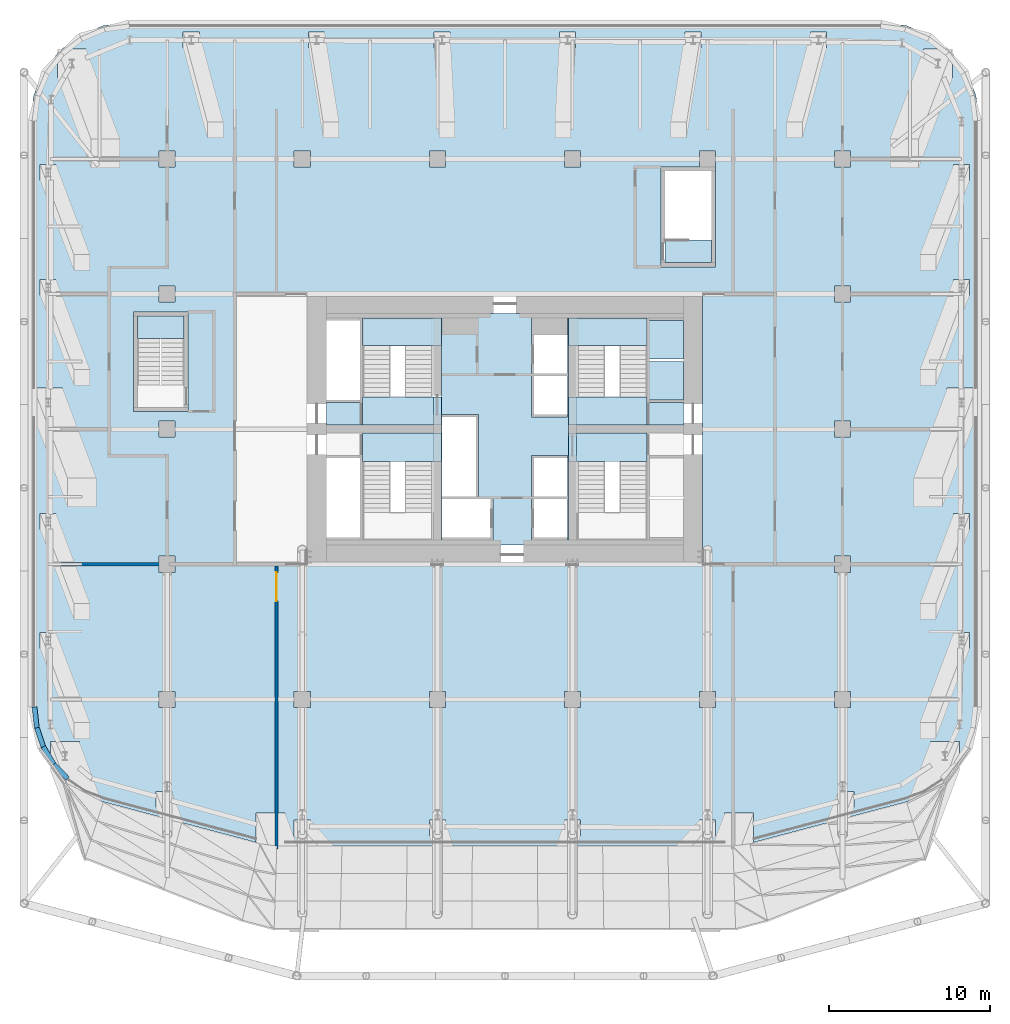
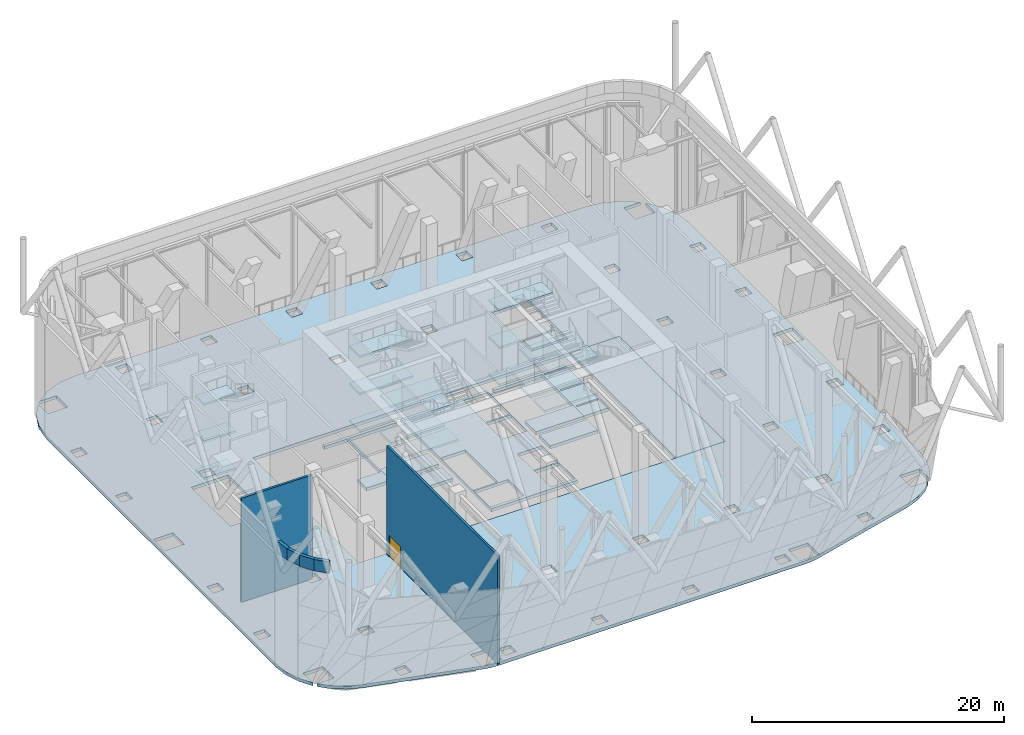
# One storey, part 8 of 19: 27 slabs, 6 walls, 1 door, 1 opening, 5 elements without a shape of their own.
"""IFC4 building model written with IfcOpenShell, lengths in metres."""

from ifc_helpers import new_model, si_unit, direction, frame, frame_2d, origin, place, context, subcontext, project, spatial, polyline, rectangle, outline, extrude, material, layer, layer_set, type_object, element, fill, aggregate, save


model = new_model("IFC4")

# Units and contexts
model_context = context("Model", 3, precision=1e-05, world=origin(), true_north=direction((0.0, 1.0)))
body_context = subcontext(model_context, "Body", "Model", "MODEL_VIEW")
ifc_project = project(units=[si_unit("LENGTHUNIT", "METRE"), si_unit("AREAUNIT", "SQUARE_METRE"), si_unit("VOLUMEUNIT", "CUBIC_METRE"), si_unit("PLANEANGLEUNIT", "RADIAN"), si_unit("MASSUNIT", "GRAM", prefix="KILO")], contexts=[model_context])

# Site, building, storey
site_placement = place(None, origin())
site = spatial("IfcSite", under=ifc_project, at=site_placement, CompositionType="ELEMENT")
building_placement = place(site_placement, origin())
building = spatial("IfcBuilding", under=site, at=building_placement, Name="Marenta Gate Hotel Tower", CompositionType="ELEMENT")
storey_placement = place(building_placement, frame((0.0, 0.0, 86.89990234375)))
storey = spatial("IfcBuildingStorey", under=building, at=storey_placement, Name="L20", CompositionType="ELEMENT", Elevation=86.89990234375)

# Slabs
ifc_material_1 = material(Name="Concrete C35", Category="concrete")
ifc_layer_1 = layer(ifc_material_1, 0.300048828125)
ifc_layer_set_1 = layer_set([ifc_layer_1], Name="Concrete C35")
slab_type_1 = type_object("IfcSlabType", Name="Concrete floor slab 300", PredefinedType="FLOOR", material=ifc_layer_set_1)
slab_1_placement = place(storey_placement, frame((0.0, 0.0, -0.2998046875)))
element("IfcSlab", 1, at=slab_1_placement, inside=storey, type_object=slab_type_1, Name="L20-SL-1", PredefinedType="FLOOR", context=body_context, shape_type="SweptSolid", body=[
    extrude(outline(polyline([(-27.313720703125, -13.56396484375), (-28.015625, -12.8330078125), (-26.462890625, -12.8330078125), (-26.462890625, -11.032958984375), (-28.262939453125, -11.032958984375), (-28.262939453125, -12.55859375), (-28.927001953125, -11.467041015625), (-29.35546875, -10.20703125), (-29.5, -8.889892578125), (-29.5, 27.6064453125), (-29.29296875, 29.178955078125), (-28.68359375, 30.650390625), (-27.83544921875, 31.755615234375), (-27.83544921875, 30.235595703125), (-26.035400390625, 30.235595703125), (-26.035400390625, 32.035400390625), (-27.555419921875, 32.035400390625), (-26.450439453125, 32.883544921875), (-24.97900390625, 33.492919921875), (-23.406494140625, 33.699951171875), (23.406494140625, 33.699951171875), (24.97900390625, 33.492919921875), (26.450439453125, 32.883544921875), (27.555419921875, 32.035400390625), (26.035400390625, 32.035400390625), (26.035400390625, 30.235595703125), (27.83544921875, 30.235595703125), (27.83544921875, 31.755615234375), (28.68359375, 30.650390625), (29.29296875, 29.178955078125), (29.5, 27.6064453125), (29.5, -8.889892578125), (29.35546875, -10.20703125), (28.927001953125, -11.467041015625), (28.262939453125, -12.55859375), (28.262939453125, -11.032958984375), (26.462890625, -11.032958984375), (26.462890625, -12.8330078125), (28.015625, -12.8330078125), (27.313720703125, -13.56396484375), (26.205810546875, -14.30126953125), (24.969482421875, -14.77880859375), (15.2265625, -17.36376953125), (14.70849609375, -17.4658203125), (14.181640625, -17.5), (-14.181640625, -17.5), (-14.70849609375, -17.4658203125), (-15.2265625, -17.36376953125), (-24.969482421875, -14.77880859375), (-26.205810546875, -14.30126953125), (-27.313720703125, -13.56396484375)]), holes=[polyline([(-16.800048828125, 0.0), (16.800048828125, 0.0), (16.800048828125, 16.800048828125), (-16.800048828125, 16.800048828125), (-16.800048828125, 0.0)]), polyline([(-13.666259765625, -15.474853515625), (-15.46630859375, -15.474853515625), (-15.46630859375, -17.27490234375), (-13.666259765625, -17.27490234375), (-13.666259765625, -15.474853515625)]), polyline([(-20.706787109375, -14.13916015625), (-21.706787109375, -14.13916015625), (-21.706787109375, -15.13916015625), (-20.706787109375, -15.13916015625), (-20.706787109375, -14.13916015625)]), polyline([(-20.5, -8.89990234375), (-20.5, -7.89990234375), (-21.5, -7.89990234375), (-21.5, -8.89990234375), (-20.5, -8.89990234375)]), polyline([(-12.10009765625, -8.89990234375), (-12.10009765625, -7.89990234375), (-13.10009765625, -7.89990234375), (-13.10009765625, -8.89990234375), (-12.10009765625, -8.89990234375)]), polyline([(-27.89990234375, -4.251953125), (-28.89990234375, -4.251953125), (-28.89990234375, -5.251953125), (-27.89990234375, -5.251953125), (-27.89990234375, -4.251953125)]), polyline([(-20.5, -0.5), (-20.5, 0.5), (-21.5, 0.5), (-21.5, -0.5), (-20.5, -0.5)]), polyline([(-27.89990234375, 2.149169921875), (-27.89990234375, 3.149169921875), (-28.89990234375, 3.149169921875), (-28.89990234375, 2.149169921875), (-27.89990234375, 2.149169921875)]), polyline([(-20.5, 8.89990234375), (-21.5, 8.89990234375), (-21.5, 7.89990234375), (-20.5, 7.89990234375), (-20.5, 8.89990234375)]), polyline([(-27.5, 9.14990234375), (-27.5, 10.949951171875), (-29.300048828125, 10.949951171875), (-29.300048828125, 9.14990234375), (-27.5, 9.14990234375)]), polyline([(-20.5, 16.300048828125), (-20.5, 17.300048828125), (-21.5, 17.300048828125), (-21.5, 16.300048828125), (-20.5, 16.300048828125)]), polyline([(-27.89990234375, 17.703125), (-28.89990234375, 17.703125), (-28.89990234375, 16.703125), (-27.89990234375, 16.703125), (-27.89990234375, 17.703125)]), polyline([(-27.89990234375, 23.8564453125), (-27.89990234375, 24.8564453125), (-28.89990234375, 24.8564453125), (-28.89990234375, 23.8564453125), (-27.89990234375, 23.8564453125)]), polyline([(-20.5, 24.699951171875), (-20.5, 25.699951171875), (-21.5, 25.699951171875), (-21.5, 24.699951171875), (-20.5, 24.699951171875)]), polyline([(-19.0068359375, 32.10009765625), (-19.0068359375, 33.10009765625), (-20.0068359375, 33.10009765625), (-20.0068359375, 32.10009765625), (-19.0068359375, 32.10009765625)]), polyline([(-12.10009765625, -16.89990234375), (-12.10009765625, -15.89990234375), (-13.10009765625, -15.89990234375), (-13.10009765625, -16.89990234375), (-12.10009765625, -16.89990234375)]), polyline([(-3.699951171875, -15.89990234375), (-4.699951171875, -15.89990234375), (-4.699951171875, -16.89990234375), (-3.699951171875, -16.89990234375), (-3.699951171875, -15.89990234375)]), polyline([(4.699951171875, -16.89990234375), (4.699951171875, -15.89990234375), (3.699951171875, -15.89990234375), (3.699951171875, -16.89990234375), (4.699951171875, -16.89990234375)]), polyline([(13.10009765625, -16.89990234375), (13.10009765625, -15.89990234375), (12.10009765625, -15.89990234375), (12.10009765625, -16.89990234375), (13.10009765625, -16.89990234375)]), polyline([(15.46630859375, -15.474853515625), (13.666259765625, -15.474853515625), (13.666259765625, -17.27490234375), (15.46630859375, -17.27490234375), (15.46630859375, -15.474853515625)]), polyline([(-3.699951171875, -8.89990234375), (-3.699951171875, -7.89990234375), (-4.699951171875, -7.89990234375), (-4.699951171875, -8.89990234375), (-3.699951171875, -8.89990234375)]), polyline([(4.699951171875, -8.89990234375), (4.699951171875, -7.89990234375), (3.699951171875, -7.89990234375), (3.699951171875, -8.89990234375), (4.699951171875, -8.89990234375)]), polyline([(13.10009765625, -7.89990234375), (12.10009765625, -7.89990234375), (12.10009765625, -8.89990234375), (13.10009765625, -8.89990234375), (13.10009765625, -7.89990234375)]), polyline([(-12.10009765625, 25.699951171875), (-13.10009765625, 25.699951171875), (-13.10009765625, 24.699951171875), (-12.10009765625, 24.699951171875), (-12.10009765625, 25.699951171875)]), polyline([(-3.699951171875, 25.699951171875), (-4.699951171875, 25.699951171875), (-4.699951171875, 24.699951171875), (-3.699951171875, 24.699951171875), (-3.699951171875, 25.699951171875)]), polyline([(4.699951171875, 24.699951171875), (4.699951171875, 25.699951171875), (3.699951171875, 25.699951171875), (3.699951171875, 24.699951171875), (4.699951171875, 24.699951171875)]), polyline([(13.10009765625, 25.699951171875), (12.10009765625, 25.699951171875), (12.10009765625, 24.699951171875), (9.699951171875, 24.699951171875), (9.699951171875, 18.5), (13.10009765625, 18.5), (13.10009765625, 25.699951171875)]), polyline([(-11.2041015625, 33.10009765625), (-12.2041015625, 33.10009765625), (-12.2041015625, 32.10009765625), (-11.2041015625, 32.10009765625), (-11.2041015625, 33.10009765625)]), polyline([(-3.4013671875, 32.10009765625), (-3.4013671875, 33.10009765625), (-4.4013671875, 33.10009765625), (-4.4013671875, 32.10009765625), (-3.4013671875, 32.10009765625)]), polyline([(4.4013671875, 32.10009765625), (4.4013671875, 33.10009765625), (3.4013671875, 33.10009765625), (3.4013671875, 32.10009765625), (4.4013671875, 32.10009765625)]), polyline([(12.2041015625, 33.10009765625), (11.2041015625, 33.10009765625), (11.2041015625, 32.10009765625), (12.2041015625, 32.10009765625), (12.2041015625, 33.10009765625)]), polyline([(21.706787109375, -15.13916015625), (21.706787109375, -14.13916015625), (20.706787109375, -14.13916015625), (20.706787109375, -15.13916015625), (21.706787109375, -15.13916015625)]), polyline([(21.5, -7.89990234375), (20.5, -7.89990234375), (20.5, -8.89990234375), (21.5, -8.89990234375), (21.5, -7.89990234375)]), polyline([(28.89990234375, -5.251953125), (28.89990234375, -4.251953125), (27.89990234375, -4.251953125), (27.89990234375, -5.251953125), (28.89990234375, -5.251953125)]), polyline([(21.5, -0.5), (21.5, 0.5), (20.5, 0.5), (20.5, -0.5), (21.5, -0.5)]), polyline([(28.89990234375, 3.149169921875), (27.89990234375, 3.149169921875), (27.89990234375, 2.149169921875), (28.89990234375, 2.149169921875), (28.89990234375, 3.149169921875)]), polyline([(21.5, 7.89990234375), (21.5, 8.89990234375), (20.5, 8.89990234375), (20.5, 7.89990234375), (21.5, 7.89990234375)]), polyline([(29.300048828125, 9.14990234375), (29.300048828125, 10.949951171875), (27.5, 10.949951171875), (27.5, 9.14990234375), (29.300048828125, 9.14990234375)]), polyline([(21.5, 17.300048828125), (20.5, 17.300048828125), (20.5, 16.300048828125), (21.5, 16.300048828125), (21.5, 17.300048828125)]), polyline([(28.89990234375, 16.703125), (28.89990234375, 17.703125), (27.89990234375, 17.703125), (27.89990234375, 16.703125), (28.89990234375, 16.703125)]), polyline([(28.89990234375, 23.8564453125), (28.89990234375, 24.8564453125), (27.89990234375, 24.8564453125), (27.89990234375, 23.8564453125), (28.89990234375, 23.8564453125)]), polyline([(21.5, 25.699951171875), (20.5, 25.699951171875), (20.5, 24.699951171875), (21.5, 24.699951171875), (21.5, 25.699951171875)]), polyline([(20.0068359375, 32.10009765625), (20.0068359375, 33.10009765625), (19.0068359375, 33.10009765625), (19.0068359375, 32.10009765625), (20.0068359375, 32.10009765625)]), polyline([(-19.699951171875, 9.5), (-19.699951171875, 15.699951171875), (-23.10009765625, 15.699951171875), (-23.10009765625, 9.5), (-19.699951171875, 9.5)])]), origin(), (0.0, 0.0, 1.0), 0.2998046875),
])
ifc_material_2 = material(Name="Concrete C40", Category="concrete")
ifc_layer_2 = layer(ifc_material_2, 0.300048828125)
ifc_layer_set_2 = layer_set([ifc_layer_2], Name="Concrete C40")
slab_type_2 = type_object("IfcSlabType", Name="Core floor slab 300", PredefinedType="FLOOR", material=ifc_layer_set_2)
slab_2_placement = place(storey_placement, frame((0.0, 0.0, -0.2998046875)))
element("IfcSlab", 2, at=slab_2_placement, inside=storey, type_object=slab_type_2, Name="L20-CF-1", PredefinedType="FLOOR", context=body_context, shape_type="SweptSolid", body=[
    extrude(outline(polyline([(12.300048828125, 0.0), (12.300048828125, 16.800048828125), (16.800048828125, 16.800048828125), (16.800048828125, 0.0), (12.300048828125, 0.0)])), origin(), (0.0, 0.0, 1.0), 0.2998046875),
])
slab_3_placement = place(storey_placement, frame((0.0, 0.0, -0.2998046875)))
element("IfcSlab", 3, at=slab_3_placement, inside=storey, type_object=slab_type_2, Name="L20-CF-3", PredefinedType="FLOOR", context=body_context, shape_type="SweptSolid", body=[
    extrude(outline(polyline([(8.85009765625, 15.300048828125), (4.449951171875, 15.300048828125), (4.449951171875, 15.60009765625), (11.10009765625, 15.60009765625), (11.10009765625, 15.300048828125), (9.0, 15.300048828125), (9.0, 15.14990234375), (11.10009765625, 15.14990234375), (11.10009765625, 12.75), (9.0, 12.75), (9.0, 12.60009765625), (11.10009765625, 12.60009765625), (11.10009765625, 10.199951171875), (9.0, 10.199951171875), (9.0, 10.050048828125), (11.10009765625, 10.050048828125), (11.10009765625, 8.64990234375), (8.85009765625, 8.64990234375), (8.85009765625, 8.699951171875), (8.85009765625, 10.39990234375), (8.85009765625, 15.300048828125)])), origin(), (0.0, 0.0, 1.0), 0.2998046875),
])
slab_4_placement = place(storey_placement, frame((0.0, 0.0, -0.2998046875)))
element("IfcSlab", 4, at=slab_4_placement, inside=storey, type_object=slab_type_2, Name="L20-CF-4", PredefinedType="FLOOR", context=body_context, shape_type="SweptSolid", body=[
    extrude(outline(polyline([(3.949951171875, 15.300048828125), (3.949951171875, 10.39990234375), (3.949951171875, 6.39990234375), (3.949951171875, 1.5), (3.949951171875, 1.199951171875), (-3.949951171875, 1.199951171875), (-3.949951171875, 1.5), (-3.949951171875, 6.39990234375), (-3.949951171875, 10.39990234375), (-3.949951171875, 15.300048828125), (-3.949951171875, 15.60009765625), (3.949951171875, 15.60009765625), (3.949951171875, 15.300048828125)]), holes=[polyline([(1.64990234375, 4.050048828125), (1.64990234375, 1.64990234375), (1.64990234375, 1.5), (3.89990234375, 1.5), (3.89990234375, 1.64990234375), (3.89990234375, 4.050048828125), (1.800048828125, 4.050048828125), (1.64990234375, 4.050048828125)]), polyline([(1.64990234375, 11.699951171875), (1.64990234375, 9.300048828125), (1.64990234375, 9.14990234375), (3.89990234375, 9.14990234375), (3.89990234375, 9.300048828125), (3.89990234375, 11.699951171875), (1.800048828125, 11.699951171875), (1.64990234375, 11.699951171875)]), polyline([(1.800048828125, 4.199951171875), (3.89990234375, 4.199951171875), (3.89990234375, 6.60009765625), (3.89990234375, 6.75), (1.64990234375, 6.75), (1.64990234375, 6.60009765625), (1.64990234375, 4.199951171875), (1.800048828125, 4.199951171875)]), polyline([(1.800048828125, 11.85009765625), (3.89990234375, 11.85009765625), (3.89990234375, 14.25), (3.89990234375, 15.300048828125), (1.64990234375, 15.300048828125), (1.64990234375, 14.25), (1.64990234375, 11.85009765625), (1.800048828125, 11.85009765625)]), polyline([(-3.89990234375, 4.050048828125), (-3.89990234375, 1.64990234375), (-3.89990234375, 1.5), (-0.89990234375, 1.5), (-0.75, 1.5), (-0.75, 4.050048828125), (-0.89990234375, 4.050048828125), (-3.89990234375, 4.050048828125)]), polyline([(-1.800048828125, 4.199951171875), (-1.64990234375, 4.199951171875), (-1.64990234375, 9.14990234375), (-1.64990234375, 9.300048828125), (-3.89990234375, 9.300048828125), (-3.89990234375, 9.14990234375), (-3.89990234375, 6.75), (-3.89990234375, 6.60009765625), (-3.89990234375, 4.199951171875), (-1.800048828125, 4.199951171875)])]), origin(), (0.0, 0.0, 1.0), 0.2998046875),
])
slab_5_placement = place(storey_placement, frame((0.0, 0.0, -0.2998046875)))
element("IfcSlab", 5, at=slab_5_placement, inside=storey, type_object=slab_type_2, Name="L20-CF-6", PredefinedType="FLOOR", context=body_context, shape_type="SweptSolid", body=[
    extrude(outline(polyline([(-4.449951171875, 15.300048828125), (-8.85009765625, 15.300048828125), (-8.85009765625, 10.39990234375), (-8.85009765625, 8.699951171875), (-8.85009765625, 8.64990234375), (-11.10009765625, 8.64990234375), (-11.10009765625, 10.050048828125), (-9.0, 10.050048828125), (-9.0, 10.199951171875), (-9.0, 12.60009765625), (-9.0, 12.75), (-9.0, 15.14990234375), (-9.0, 15.300048828125), (-11.10009765625, 15.300048828125), (-11.10009765625, 15.60009765625), (-4.449951171875, 15.60009765625), (-4.449951171875, 15.300048828125)])), origin(), (0.0, 0.0, 1.0), 0.2998046875),
])

# Stair, slabs
ifc_material_3 = material(Name="Concrete C40", Category="concrete")
stair_type_1 = type_object("IfcStairType", Name="Core exit stair 1700 wide", PredefinedType="HALF_TURN_STAIR", material=ifc_material_3)
stair_1_placement = place(storey_placement, origin())
stair_1 = element("IfcStair", 6, at=stair_1_placement, inside=storey, type_object=stair_type_1, Name="Exit stair 1", PredefinedType="HALF_TURN_STAIR")
ifc_material_4 = material(Name="Concrete C40", Category="concrete")
ifc_layer_3 = layer(ifc_material_4, 0.199951171875)
ifc_layer_set_3 = layer_set([ifc_layer_3], Name="Concrete C40")
slab_type_3 = type_object("IfcSlabType", Name="Core stair landing 200", PredefinedType="LANDING", material=ifc_layer_set_3)
slab_6_placement = place(storey_placement, frame((0.0, 0.0, 3.400146484375)))
slab_6 = element("IfcSlab", 7, at=slab_6_placement, type_object=slab_type_3, Name="SL-200 ST1 landing 2", PredefinedType="LANDING", context=body_context, shape_type="SweptSolid", body=[
    extrude(outline(polyline([(-8.85009765625, 6.39990234375), (-3.949951171875, 6.39990234375), (-3.949951171875, 8.14990234375), (-8.85009765625, 8.14990234375), (-8.85009765625, 6.39990234375)])), origin(), (0.0, 0.0, 1.0), 0.199951171875),
])
slab_7_placement = place(storey_placement, frame((0.0, 0.0, 7.0)))
slab_7 = element("IfcSlab", 8, at=slab_7_placement, type_object=slab_type_3, Name="SL-200 ST1 landing 4", PredefinedType="LANDING", context=body_context, shape_type="SweptSolid", body=[
    extrude(outline(polyline([(-8.85009765625, 6.39990234375), (-3.949951171875, 6.39990234375), (-3.949951171875, 8.14990234375), (-8.85009765625, 8.14990234375), (-8.85009765625, 6.39990234375)])), origin(), (0.0, 0.0, 1.0), 0.2001953125),
])
aggregate(stair_1, [slab_6, slab_7])

stair_2_placement = place(storey_placement, origin())
stair_2 = element("IfcStair", 9, at=stair_2_placement, inside=storey, type_object=stair_type_1, Name="Exit stair 2", PredefinedType="HALF_TURN_STAIR")
slab_8_placement = place(storey_placement, frame((0.0, 0.0, 1.60009765625)))
slab_8 = element("IfcSlab", 10, at=slab_8_placement, type_object=slab_type_3, Name="SL-200 ST2 landing 1", PredefinedType="LANDING", context=body_context, shape_type="SweptSolid", body=[
    extrude(outline(polyline([(-8.85009765625, 13.590087890625), (-3.949951171875, 13.590087890625), (-3.949951171875, 15.300048828125), (-8.85009765625, 15.300048828125), (-8.85009765625, 13.590087890625)])), origin(), (0.0, 0.0, 1.0), 0.199951171875),
])
slab_9_placement = place(storey_placement, frame((0.0, 0.0, 3.400146484375)))
slab_9 = element("IfcSlab", 11, at=slab_9_placement, type_object=slab_type_3, Name="SL-200 ST2 landing 2", PredefinedType="LANDING", context=body_context, shape_type="SweptSolid", body=[
    extrude(outline(polyline([(-8.85009765625, 8.64990234375), (-3.949951171875, 8.64990234375), (-3.949951171875, 10.39990234375), (-8.85009765625, 10.39990234375), (-8.85009765625, 8.64990234375)])), origin(), (0.0, 0.0, 1.0), 0.199951171875),
])
slab_10_placement = place(storey_placement, frame((0.0, 0.0, 5.2001953125)))
slab_10 = element("IfcSlab", 12, at=slab_10_placement, type_object=slab_type_3, Name="SL-200 ST2 landing 3", PredefinedType="LANDING", context=body_context, shape_type="SweptSolid", body=[
    extrude(outline(polyline([(-8.85009765625, 13.590087890625), (-3.949951171875, 13.590087890625), (-3.949951171875, 15.300048828125), (-8.85009765625, 15.300048828125), (-8.85009765625, 13.590087890625)])), origin(), (0.0, 0.0, 1.0), 0.199951171875),
])
slab_11_placement = place(storey_placement, frame((0.0, 0.0, 7.0)))
slab_11 = element("IfcSlab", 13, at=slab_11_placement, type_object=slab_type_3, Name="SL-200 ST2 landing 4", PredefinedType="LANDING", context=body_context, shape_type="SweptSolid", body=[
    extrude(outline(polyline([(-8.85009765625, 8.64990234375), (-3.949951171875, 8.64990234375), (-3.949951171875, 10.39990234375), (-8.85009765625, 10.39990234375), (-8.85009765625, 8.64990234375)])), origin(), (0.0, 0.0, 1.0), 0.2001953125),
])
slab_12_placement = place(storey_placement, frame((0.0, 0.0, 8.800048828125)))
slab_12 = element("IfcSlab", 14, at=slab_12_placement, type_object=slab_type_3, Name="SL-200 ST2 landing 5", PredefinedType="LANDING", context=body_context, shape_type="SweptSolid", body=[
    extrude(outline(polyline([(-8.85009765625, 13.590087890625), (-3.949951171875, 13.590087890625), (-3.949951171875, 15.300048828125), (-8.85009765625, 15.300048828125), (-8.85009765625, 13.590087890625)])), origin(), (0.0, 0.0, 1.0), 0.199951171875),
])
aggregate(stair_2, [slab_8, slab_9, slab_10, slab_11, slab_12])

stair_3_placement = place(storey_placement, origin())
stair_3 = element("IfcStair", 15, at=stair_3_placement, inside=storey, type_object=stair_type_1, Name="Exit stair 3", PredefinedType="HALF_TURN_STAIR")
slab_13_placement = place(storey_placement, frame((0.0, 0.0, 3.400146484375)))
slab_13 = element("IfcSlab", 16, at=slab_13_placement, type_object=slab_type_3, Name="SL-200 ST3 landing 2", PredefinedType="LANDING", context=body_context, shape_type="SweptSolid", body=[
    extrude(outline(polyline([(3.949951171875, 6.39990234375), (8.85009765625, 6.39990234375), (8.85009765625, 8.14990234375), (3.949951171875, 8.14990234375), (3.949951171875, 6.39990234375)])), origin(), (0.0, 0.0, 1.0), 0.199951171875),
])
slab_14_placement = place(storey_placement, frame((0.0, 0.0, 7.0)))
slab_14 = element("IfcSlab", 17, at=slab_14_placement, type_object=slab_type_3, Name="SL-200 ST3 landing 4", PredefinedType="LANDING", context=body_context, shape_type="SweptSolid", body=[
    extrude(outline(polyline([(3.949951171875, 6.39990234375), (8.85009765625, 6.39990234375), (8.85009765625, 8.14990234375), (3.949951171875, 8.14990234375), (3.949951171875, 6.39990234375)])), origin(), (0.0, 0.0, 1.0), 0.2001953125),
])
aggregate(stair_3, [slab_13, slab_14])

stair_4_placement = place(storey_placement, origin())
stair_4 = element("IfcStair", 18, at=stair_4_placement, inside=storey, type_object=stair_type_1, Name="Exit stair 4", PredefinedType="HALF_TURN_STAIR")
slab_15_placement = place(storey_placement, frame((0.0, 0.0, 1.60009765625)))
slab_15 = element("IfcSlab", 19, at=slab_15_placement, type_object=slab_type_3, Name="SL-200 ST4 landing 1", PredefinedType="LANDING", context=body_context, shape_type="SweptSolid", body=[
    extrude(outline(polyline([(3.949951171875, 13.590087890625), (8.85009765625, 13.590087890625), (8.85009765625, 15.300048828125), (3.949951171875, 15.300048828125), (3.949951171875, 13.590087890625)])), origin(), (0.0, 0.0, 1.0), 0.199951171875),
])
slab_16_placement = place(storey_placement, frame((0.0, 0.0, 3.400146484375)))
slab_16 = element("IfcSlab", 20, at=slab_16_placement, type_object=slab_type_3, Name="SL-200 ST4 landing 2", PredefinedType="LANDING", context=body_context, shape_type="SweptSolid", body=[
    extrude(outline(polyline([(3.949951171875, 8.64990234375), (8.85009765625, 8.64990234375), (8.85009765625, 10.39990234375), (3.949951171875, 10.39990234375), (3.949951171875, 8.64990234375)])), origin(), (0.0, 0.0, 1.0), 0.199951171875),
])
slab_17_placement = place(storey_placement, frame((0.0, 0.0, 5.2001953125)))
slab_17 = element("IfcSlab", 21, at=slab_17_placement, type_object=slab_type_3, Name="SL-200 ST4 landing 3", PredefinedType="LANDING", context=body_context, shape_type="SweptSolid", body=[
    extrude(outline(polyline([(3.949951171875, 13.590087890625), (8.85009765625, 13.590087890625), (8.85009765625, 15.300048828125), (3.949951171875, 15.300048828125), (3.949951171875, 13.590087890625)])), origin(), (0.0, 0.0, 1.0), 0.199951171875),
])
slab_18_placement = place(storey_placement, frame((0.0, 0.0, 7.0)))
slab_18 = element("IfcSlab", 22, at=slab_18_placement, type_object=slab_type_3, Name="SL-200 ST4 landing 4", PredefinedType="LANDING", context=body_context, shape_type="SweptSolid", body=[
    extrude(outline(polyline([(3.949951171875, 8.64990234375), (8.85009765625, 8.64990234375), (8.85009765625, 10.39990234375), (3.949951171875, 10.39990234375), (3.949951171875, 8.64990234375)])), origin(), (0.0, 0.0, 1.0), 0.2001953125),
])
slab_19_placement = place(storey_placement, frame((0.0, 0.0, 8.800048828125)))
slab_19 = element("IfcSlab", 23, at=slab_19_placement, type_object=slab_type_3, Name="SL-200 ST4 landing 5", PredefinedType="LANDING", context=body_context, shape_type="SweptSolid", body=[
    extrude(outline(polyline([(3.949951171875, 13.590087890625), (8.85009765625, 13.590087890625), (8.85009765625, 15.300048828125), (3.949951171875, 15.300048828125), (3.949951171875, 13.590087890625)])), origin(), (0.0, 0.0, 1.0), 0.199951171875),
])
aggregate(stair_4, [slab_15, slab_16, slab_17, slab_18, slab_19])

ifc_material_5 = material(Name="Concrete C40", Category="concrete")
stair_type_2 = type_object("IfcStairType", Name="Remote exit stair 1400 wide", PredefinedType="HALF_TURN_STAIR", material=ifc_material_5)
stair_5_placement = place(storey_placement, origin())
stair_5 = element("IfcStair", 24, at=stair_5_placement, inside=storey, type_object=stair_type_2, Name="Exit stair RS-Z1-3", PredefinedType="HALF_TURN_STAIR")
ifc_material_6 = material(Name="Concrete C40", Category="concrete")
ifc_layer_4 = layer(ifc_material_6, 0.199951171875)
ifc_layer_set_4 = layer_set([ifc_layer_4], Name="Concrete C40")
slab_type_4 = type_object("IfcSlabType", Name="Remote stair landing 200", PredefinedType="LANDING", material=ifc_layer_set_4)
slab_20_placement = place(storey_placement, frame((0.0, 0.0, 1.60009765625)))
slab_20 = element("IfcSlab", 25, at=slab_20_placement, type_object=slab_type_4, Name="RL-200 RS-Z1-3 landing 1", PredefinedType="LANDING", context=body_context, shape_type="SweptSolid", body=[
    extrude(outline(polyline([(-22.85009765625, 14.050048828125), (-19.949951171875, 14.050048828125), (-19.949951171875, 15.449951171875), (-22.85009765625, 15.449951171875), (-22.85009765625, 14.050048828125)])), origin(), (0.0, 0.0, 1.0), 0.199951171875),
])
slab_21_placement = place(storey_placement, frame((0.0, 0.0, 5.2001953125)))
slab_21 = element("IfcSlab", 26, at=slab_21_placement, type_object=slab_type_4, Name="RL-200 RS-Z1-3 landing 3", PredefinedType="LANDING", context=body_context, shape_type="SweptSolid", body=[
    extrude(outline(polyline([(-22.85009765625, 14.050048828125), (-19.949951171875, 14.050048828125), (-19.949951171875, 15.449951171875), (-22.85009765625, 15.449951171875), (-22.85009765625, 14.050048828125)])), origin(), (0.0, 0.0, 1.0), 0.199951171875),
])
slab_22_placement = place(storey_placement, frame((0.0, 0.0, 8.800048828125)))
slab_22 = element("IfcSlab", 27, at=slab_22_placement, type_object=slab_type_4, Name="RL-200 RS-Z1-3 landing 5", PredefinedType="LANDING", context=body_context, shape_type="SweptSolid", body=[
    extrude(outline(polyline([(-22.85009765625, 14.050048828125), (-19.949951171875, 14.050048828125), (-19.949951171875, 15.449951171875), (-22.85009765625, 15.449951171875), (-22.85009765625, 14.050048828125)])), origin(), (0.0, 0.0, 1.0), 0.199951171875),
])
aggregate(stair_5, [slab_20, slab_21, slab_22])

# Slabs
ifc_material_7 = material(Name="Concrete C40", Category="concrete")
ifc_layer_5 = layer(ifc_material_7, 0.300048828125)
ifc_layer_set_5 = layer_set([ifc_layer_5], Name="Concrete C40")
slab_type_5 = type_object("IfcSlabType", Name="Stair floor landing slab 300", PredefinedType="FLOOR", material=ifc_layer_set_5)
slab_23_placement = place(storey_placement, frame((0.0, 0.0, -0.2998046875)))
element("IfcSlab", 28, at=slab_23_placement, inside=storey, type_object=slab_type_5, Name="L20-CL-ST1-1", PredefinedType="FLOOR", context=body_context, shape_type="SweptSolid", body=[
    extrude(outline(polyline([(-4.449951171875, 6.39990234375), (-8.85009765625, 6.39990234375), (-8.85009765625, 8.10009765625), (-8.85009765625, 8.14990234375), (-4.449951171875, 8.14990234375), (-4.449951171875, 6.39990234375)])), origin(), (0.0, 0.0, 1.0), 0.2998046875),
])
slab_24_placement = place(storey_placement, frame((0.0, 0.0, -0.2998046875)))
element("IfcSlab", 29, at=slab_24_placement, inside=storey, type_object=slab_type_5, Name="L20-CL-ST2-1", PredefinedType="FLOOR", context=body_context, shape_type="SweptSolid", body=[
    extrude(outline(polyline([(-4.449951171875, 8.64990234375), (-8.85009765625, 8.64990234375), (-8.85009765625, 8.699951171875), (-8.85009765625, 10.39990234375), (-4.449951171875, 10.39990234375), (-4.449951171875, 8.64990234375)])), origin(), (0.0, 0.0, 1.0), 0.2998046875),
])
slab_25_placement = place(storey_placement, frame((0.0, 0.0, -0.2998046875)))
element("IfcSlab", 30, at=slab_25_placement, inside=storey, type_object=slab_type_5, Name="L20-CL-ST3-1", PredefinedType="FLOOR", context=body_context, shape_type="SweptSolid", body=[
    extrude(outline(polyline([(4.449951171875, 6.39990234375), (4.449951171875, 8.14990234375), (8.85009765625, 8.14990234375), (8.85009765625, 8.10009765625), (8.85009765625, 6.39990234375), (4.449951171875, 6.39990234375)])), origin(), (0.0, 0.0, 1.0), 0.2998046875),
])
slab_26_placement = place(storey_placement, frame((0.0, 0.0, -0.2998046875)))
element("IfcSlab", 31, at=slab_26_placement, inside=storey, type_object=slab_type_5, Name="L20-CL-ST4-1", PredefinedType="FLOOR", context=body_context, shape_type="SweptSolid", body=[
    extrude(outline(polyline([(4.449951171875, 8.64990234375), (4.449951171875, 10.39990234375), (8.85009765625, 10.39990234375), (8.85009765625, 8.699951171875), (8.85009765625, 8.64990234375), (4.449951171875, 8.64990234375)])), origin(), (0.0, 0.0, 1.0), 0.2998046875),
])
slab_27_placement = place(storey_placement, frame((0.0, 0.0, -0.2998046875)))
element("IfcSlab", 32, at=slab_27_placement, inside=storey, type_object=slab_type_5, Name="L20-RS-Z1-4-CL", PredefinedType="FLOOR", context=body_context, shape_type="SweptSolid", body=[
    extrude(outline(polyline([(12.85009765625, 18.75), (12.85009765625, 20.14990234375), (9.949951171875, 20.14990234375), (9.949951171875, 18.75), (12.85009765625, 18.75)])), origin(), (0.0, 0.0, 1.0), 0.2998046875),
])

# Walls
ifc_material_8 = material(Name="Concrete C40 board-marked", Category="concrete")
ifc_layer_6 = layer(ifc_material_8, 0.300048828125)
ifc_layer_set_6 = layer_set([ifc_layer_6], Name="Concrete C40 board-marked")
wall_type_1 = type_object("IfcWallType", Name="Parapet 300 mm board-marked concrete", PredefinedType="PARAPET", material=ifc_layer_set_6)
wall_1_placement = place(storey_placement, frame((-28.02734375, -12.46484375, 10.800048828125), z_axis=(0.0, 0.0, 1.0), x_axis=(-0.519615563943, 0.854400178902, 0.0)))
element("IfcWall", 33, at=wall_1_placement, inside=storey, type_object=wall_type_1, Name="L20-PAR-00000", PredefinedType="PARAPET", context=body_context, shape_type="SweptSolid", body=[
    extrude(rectangle(XDim=1.30908203125, YDim=0.300048828125, at=frame_2d((0.654541015625, 0.0))), origin(), (0.0, 0.0, 1.0), 1.10009765625),
])
for number, where, z_axis, x_axis, name in (
    (34, (-28.69384765625, -11.376220703125, 10.800048828125), (0.0, 0.0, 1.0), (-0.321929483582, 0.946763649282, 0.0), "L20-PAR-00010"),
    (35, (-29.108154296875, -10.1689453125, 10.800048828125), (0.0, 0.0, 1.0), (-0.109121157301, 0.994028456851, 0.0), "L20-PAR-00020"),
):
    element("IfcWall", number, at=place(storey_placement, frame(where, z_axis=z_axis, x_axis=x_axis)), inside=storey, type_object=wall_type_1, Name=name, PredefinedType="PARAPET", context=body_context, shape_type="SweptSolid", body=[
        extrude(rectangle(XDim=1.308837890625, YDim=0.300048828125, at=frame_2d((0.654296875, 0.0))), origin(), (0.0, 0.0, 1.0), 1.10009765625),
    ])
wall_2_placement = place(storey_placement, frame((-27.19189453125, -13.330078125, 10.800048828125), z_axis=(0.0, 0.0, 1.0), x_axis=(-0.692433097882, 0.721482089146, 0.0)))
element("IfcWall", 36, at=wall_2_placement, inside=storey, type_object=wall_type_1, Name="L20-PAR-01010", PredefinedType="PARAPET", context=body_context, shape_type="SweptSolid", body=[
    extrude(rectangle(XDim=1.2353515625, YDim=0.300048828125, at=frame_2d((0.61767578125, 0.0))), origin(), (0.0, 0.0, 1.0), 1.10009765625),
])
ifc_material_9 = material(Name="Concrete blockwork", Category="masonry")
ifc_layer_7 = layer(ifc_material_9, 0.199951171875)
ifc_layer_set_7 = layer_set([ifc_layer_7], Name="Concrete blockwork")
wall_type_2 = type_object("IfcWallType", Name="Room party wall 200 REI 180", PredefinedType="PARTITIONING", material=ifc_layer_set_7)
wall_3_placement = place(storey_placement, frame((-27.60009765625, 0.0, 0.0), z_axis=(0.0, 0.0, 1.0), x_axis=(1.0, 0.0, 0.0)))
element("IfcWall", 37, at=wall_3_placement, inside=storey, type_object=wall_type_2, Name="L20-PTN-W006", PredefinedType="PARTITIONING", context=body_context, shape_type="SweptSolid", body=[
    extrude(rectangle(XDim=6.5, YDim=0.199951171875, at=frame_2d((3.25, 0.0))), origin(), (0.0, 0.0, 1.0), 10.090087890625),
])

# Wall, opening, door
wall_4_placement = place(storey_placement, frame((-14.199951171875, -17.698974609375, 0.0), z_axis=(0.0, 0.0, 1.0), x_axis=(0.0, 1.0, 0.0)))
wall_4 = element("IfcWall", 38, at=wall_4_placement, inside=storey, type_object=wall_type_2, Name="L20-PTN-W014", PredefinedType="PARTITIONING", context=body_context, shape_type="SweptSolid", body=[
    extrude(rectangle(XDim=17.598876953125, YDim=0.199951171875, at=frame_2d((8.79931640625, 0.0))), origin(), (0.0, 0.0, 1.0), 10.5400390625),
])
opening_placement = place(wall_4_placement, frame((15.39892578125, 0.0, 0.0)))
opening = element("IfcOpeningElement", 39, at=opening_placement, cuts=wall_4, Name="Opening S07-11", PredefinedType="OPENING", context=body_context, shape_type="SweptSolid", body=[
    extrude(rectangle(XDim=1.800048828125, YDim=2.10009765625, at=frame_2d((0.89990234375, 1.050048828125))), frame((0.0, 0.10009765625, 0.0), z_axis=(0.0, -1.0, 0.0), x_axis=(1.0, 0.0, 0.0)), (0.0, 0.0, 1.0), 0.199951171875),
])
ifc_material_10 = material(Name="Timber door leaf", Category="wood")
door_type = type_object("IfcDoorType", Name="Room amenity door 1800x2100 EI 60", OperationType="DOUBLE_DOOR_SINGLE_SWING", PredefinedType="DOOR", material=ifc_material_10)
door_placement = place(opening_placement, origin())
door = element("IfcDoor", 40, at=door_placement, inside=storey, type_object=door_type, Name="L20-PD-D011", OperationType="DOUBLE_DOOR_SINGLE_SWING", OverallHeight=2.10009765625, OverallWidth=1.800048828125, PredefinedType="DOOR", context=body_context, shape_type="SweptSolid", body=[
    extrude(rectangle(XDim=1.800048828125, YDim=2.10009765625, at=frame_2d((0.89990234375, 1.050048828125))), frame((0.0, 0.02490234375, 0.0), z_axis=(0.0, -1.0, 0.0), x_axis=(1.0, 0.0, 0.0)), (0.0, 0.0, 1.0), 0.050048828125),
])
fill(opening, door)

save(model, "model.ifc")
